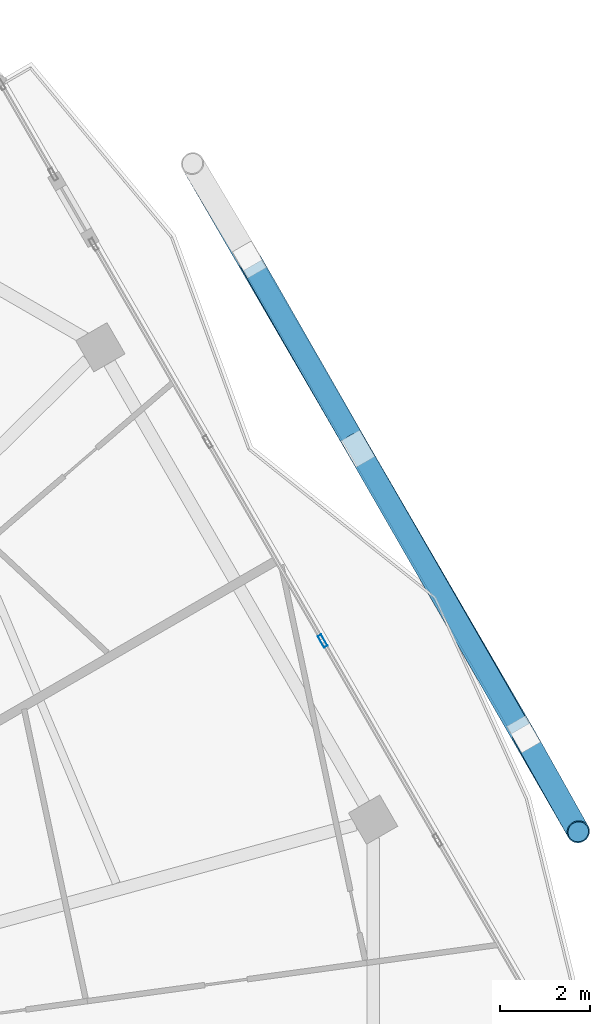
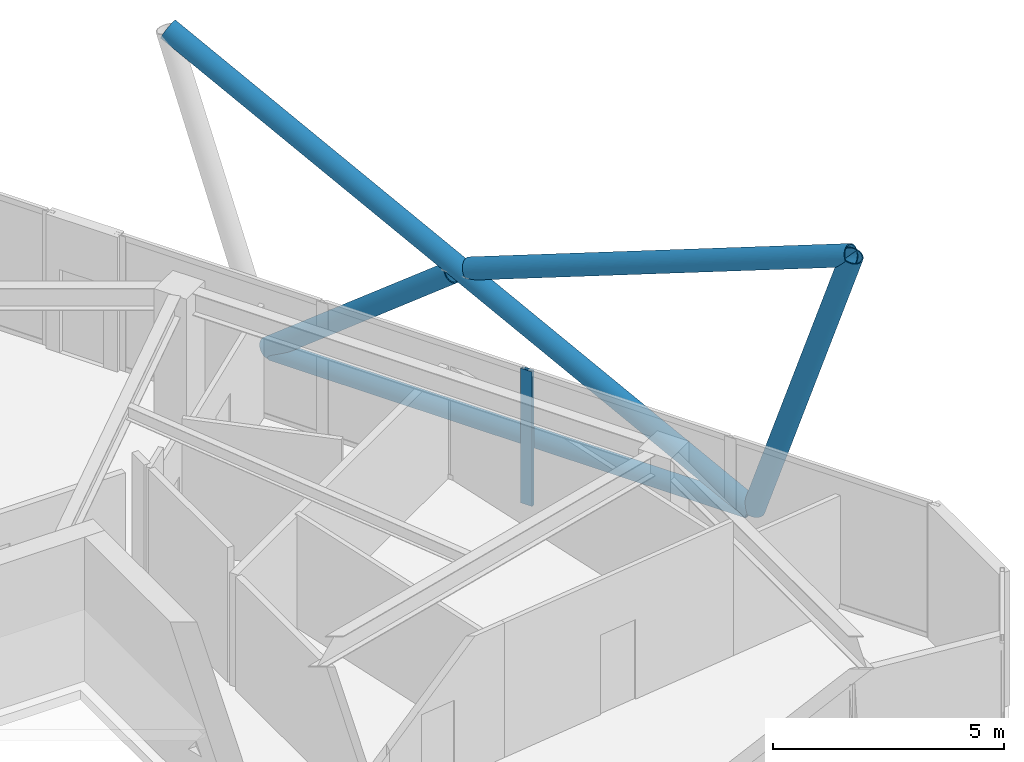
# One storey, part 14 of 24: 6 members, 1 element without a shape of its own.
"""IFC4 building model written with IfcOpenShell, lengths in metres."""

from ifc_helpers import new_model, si_unit, direction, frame, origin, origin_2d, place, context, subcontext, project, spatial, hollow_rectangle, hollow_circle, extrude, material, material_profile, profile_set, type_object, element, aggregate, save


model = new_model("IFC4")

# Units and contexts
model_context = context("Model", 3, precision=1e-05, world=origin(), true_north=direction((0.0, 1.0)))
body_context = subcontext(model_context, "Body", "Model", "MODEL_VIEW")
ifc_project = project(units=[si_unit("LENGTHUNIT", "METRE"), si_unit("AREAUNIT", "SQUARE_METRE"), si_unit("VOLUMEUNIT", "CUBIC_METRE"), si_unit("PLANEANGLEUNIT", "RADIAN"), si_unit("MASSUNIT", "GRAM", prefix="KILO")], contexts=[model_context])

# Site, building, storey
site_placement = place(None, origin())
site = spatial("IfcSite", under=ifc_project, at=site_placement, CompositionType="ELEMENT")
building_placement = place(site_placement, origin())
building = spatial("IfcBuilding", under=site, at=building_placement, Name="Zuhravey Tower", CompositionType="ELEMENT")
storey_placement = place(building_placement, frame((0.0, 0.0, 308.199951171875)))
storey = spatial("IfcBuildingStorey", under=building, at=storey_placement, Name="L78", CompositionType="ELEMENT", Elevation=308.199951171875)

# Curtain wall, member
ifc_material_1 = material(Name="Thermally broken anodised aluminium", Category="aluminium")
curtain_wall_type = type_object("IfcCurtainWallType", Name="Zone 3-4 High-Rise Curtain Wall CW4", PredefinedType="NOTDEFINED", material=ifc_material_1)
curtain_wall_placement = place(storey_placement, origin())
curtain_wall = element("IfcCurtainWall", 1, at=curtain_wall_placement, inside=storey, type_object=curtain_wall_type, Name="L78 CW4 CW-L78-F1-2", PredefinedType="NOTDEFINED")
ifc_material_2 = material(Name="Anodised aluminium", Category="aluminium")
ifc_material_profile_1 = material_profile(ifc_material_2, hollow_rectangle(XDim=0.090087890625, YDim=0.284912109375, WallThickness=0.0048828125, at=origin_2d()), Name="ALU-RHS-90x285x5")
ifc_profile_set_1 = profile_set([ifc_material_profile_1], Name="Anodised aluminium")
member_type_1 = type_object("IfcMemberType", Name="Curtain-Wall Mullion 90x180", PredefinedType="MULLION", material=ifc_profile_set_1)
member_1_placement = place(storey_placement, frame((57.87548828125, 42.258544921875, 0.0), z_axis=(0.0, 0.0, 1.0), x_axis=(0.866023892901, 0.500002616917, 0.0)))
member_1 = element("IfcMember", 2, at=member_1_placement, type_object=member_type_1, Name="CW4 mullion 3", PredefinedType="MULLION", context=body_context, shape_type="SweptSolid", body=[
    extrude(hollow_rectangle(XDim=0.090087890625, YDim=0.284912109375, WallThickness=0.0048828125, at=origin_2d()), origin(), (0.0, 0.0, 1.0), 3.550048828125),
])
aggregate(curtain_wall, [member_1])

# Members
ifc_material_3 = material(Name="Steel SM355", Category="steel")
ifc_material_profile_2 = material_profile(ifc_material_3, hollow_circle(Radius=0.228515625, WallThickness=0.02197265625, at=origin_2d()), Name="CHS-457.2x22")
ifc_profile_set_2 = profile_set([ifc_material_profile_2], Name="Steel SM355")
member_type_2 = type_object("IfcMemberType", Name="Exoskeleton Ring Tie CHS457x22", PredefinedType="CHORD", material=ifc_profile_set_2)
member_2_placement = place(storey_placement, frame((62.254638671875, 40.313720703125, -0.4638671875), z_axis=(-0.500004115931, 0.866023027437, 0.0), x_axis=(-0.866023027437, -0.500004115931, 0.0)))
element("IfcMember", 3, at=member_2_placement, inside=storey, type_object=member_type_2, Name="L78 Exoskeleton Face 1 Tie EXR1", PredefinedType="CHORD", context=body_context, shape_type="SweptSolid", body=[
    extrude(hollow_circle(Radius=0.228515625, WallThickness=0.02197265625, at=origin_2d()), origin(), (0.0, 0.0, 1.0), 11.85498046875),
])
ifc_material_profile_3 = material_profile(ifc_material_3, hollow_circle(Radius=0.25390625, WallThickness=0.02490234375, at=origin_2d()), Name="CHS-508.0x25")
ifc_profile_set_3 = profile_set([ifc_material_profile_3], Name="Steel SM355")
member_type_3 = type_object("IfcMemberType", Name="Exoskeleton Zone 4 Diagrid CHS508x25", PredefinedType="BRACE", material=ifc_profile_set_3)
member_3_placement = place(storey_placement, frame((62.3271484375, 40.18798828125, -0.447998046875), z_axis=(0.151975128537, -0.270740195693, 0.950580510395), x_axis=(0.872010411555, 0.48948732582, 0.0)))
element("IfcMember", 4, at=member_3_placement, inside=storey, type_object=member_type_3, Name="L78 Face 1 Diagrid Brace 1", PredefinedType="BRACE", context=body_context, shape_type="SweptSolid", body=[
    extrude(hollow_circle(Radius=0.25390625, WallThickness=0.02490234375, at=origin_2d()), origin(), (0.0, 0.0, 1.0), 7.961669921875),
])
member_4_placement = place(storey_placement, frame((62.30908203125, 40.21923828125, -0.447998046875), z_axis=(-0.445189809806, 0.767455740989, 0.461321708647), x_axis=(-0.86499915707, -0.501773313627, 0.0)))
element("IfcMember", 5, at=member_4_placement, inside=storey, type_object=member_type_3, Name="L78 Face 1 Diagrid Brace 2", PredefinedType="BRACE", context=body_context, shape_type="SweptSolid", body=[
    extrude(hollow_circle(Radius=0.25390625, WallThickness=0.02490234375, at=origin_2d()), origin(), (0.0, 0.0, 1.0), 16.4052734375),
])
member_5_placement = place(storey_placement, frame((56.270751953125, 50.677978515625, -0.4423828125), z_axis=(0.390731945093, -0.681667995419, 0.618592993094), x_axis=(0.867580420924, 0.497296906515, 0.0)))
element("IfcMember", 6, at=member_5_placement, inside=storey, type_object=member_type_3, Name="L78 Face 1 Split Diagrid Brace 3A", PredefinedType="BRACE", context=body_context, shape_type="SweptSolid", body=[
    extrude(hollow_circle(Radius=0.25390625, WallThickness=0.02490234375, at=origin_2d()), origin(), (0.0, 0.0, 1.0), 5.864013671875),
])
member_6_placement = place(storey_placement, frame((58.770751953125, 46.317138671875, 3.42431640625), z_axis=(0.464896758879, -0.808053037136, 0.361830475166), x_axis=(0.866782854461, 0.498685755974, 0.0)))
element("IfcMember", 7, at=member_6_placement, inside=storey, type_object=member_type_3, Name="L78 Face 1 Split Diagrid Brace 3B", PredefinedType="BRACE", context=body_context, shape_type="SweptSolid", body=[
    extrude(hollow_circle(Radius=0.25390625, WallThickness=0.02490234375, at=origin_2d()), origin(), (0.0, 0.0, 1.0), 10.2236328125),
])

save(model, "model.ifc")
